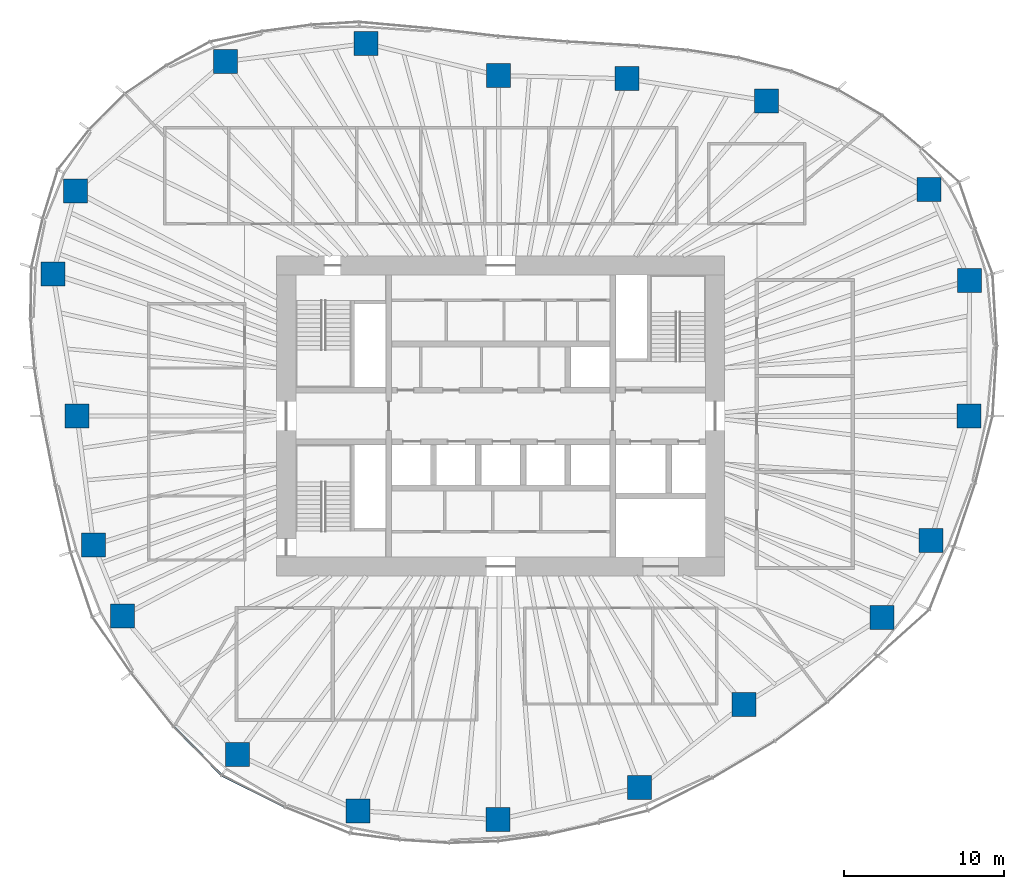
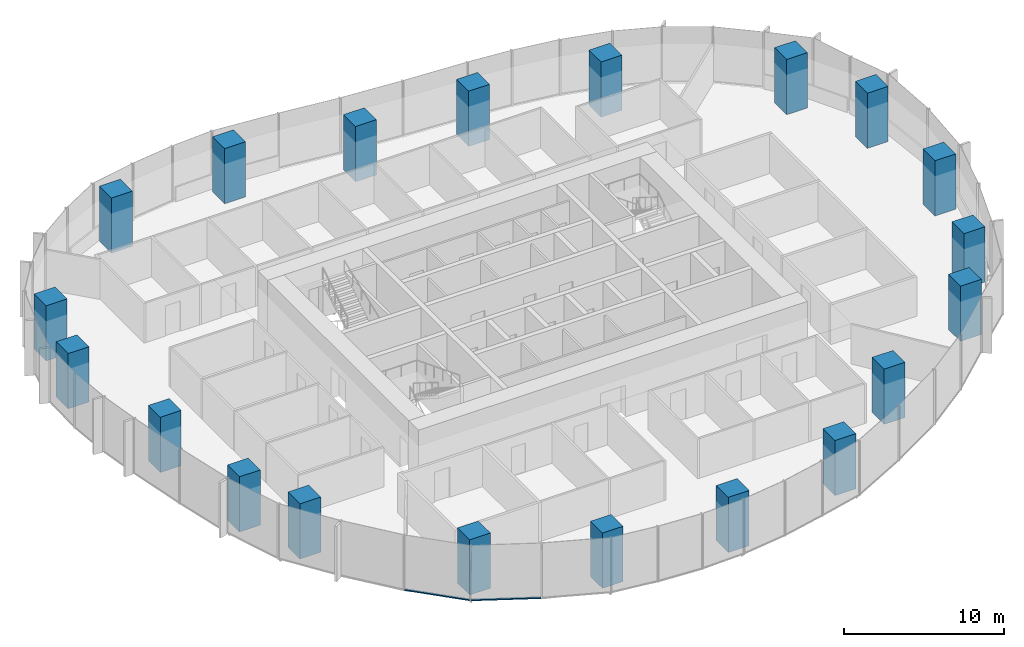
# One storey, part 1 of 18: 20 columns, 2 members, 2 elements without a shape of their own.
"""IFC4 building model written with IfcOpenShell, lengths in metres."""

from ifc_helpers import new_model, si_unit, direction, frame, origin, origin_2d, place, context, subcontext, project, spatial, rectangle, extrude, material, material_profile, profile_set, type_object, element, aggregate, save


model = new_model("IFC4")

# Units and contexts
model_context = context("Model", 3, precision=1e-05, world=origin(), true_north=direction((0.0, 1.0)))
body_context = subcontext(model_context, "Body", "Model", "MODEL_VIEW")
ifc_project = project(units=[si_unit("LENGTHUNIT", "METRE"), si_unit("AREAUNIT", "SQUARE_METRE"), si_unit("VOLUMEUNIT", "CUBIC_METRE"), si_unit("PLANEANGLEUNIT", "RADIAN"), si_unit("MASSUNIT", "GRAM", prefix="KILO")], contexts=[model_context])

# Site, building, storey
site_placement = place(None, origin())
site = spatial("IfcSite", under=ifc_project, at=site_placement, CompositionType="ELEMENT")
building_placement = place(site_placement, origin())
building = spatial("IfcBuilding", under=site, at=building_placement, Name="Ghaith Harvest Tower", CompositionType="ELEMENT")
storey_placement = place(building_placement, frame((0.0, 0.0, 113.39990234375)))
storey = spatial("IfcBuildingStorey", under=building, at=storey_placement, Name="L23", CompositionType="ELEMENT", Elevation=113.39990234375)

# Columns
ifc_material_1 = material(Name="Concrete C60/75", Category="concrete")
ifc_material_profile_1 = material_profile(ifc_material_1, rectangle(XDim=1.5, YDim=1.5, at=origin_2d()), Name="RC1500X1500")
ifc_profile_set_1 = profile_set([ifc_material_profile_1], Name="Concrete C60/75")
column_type = type_object("IfcColumnType", Name="TC3 RC1500X1500", PredefinedType="COLUMN", material=ifc_profile_set_1)
for number, where, z_axis, x_axis, name in (
    (1, (29.259033203125, 0.0, 0.0), (0.0, 0.0, 1.0), (1.0, 0.0, 0.0), "Perimeter column C01"),
    (2, (29.285888671875, 8.464111328125, 0.0), (0.0, 0.0, 1.0), (1.0, 0.0, 0.0), "Perimeter column C02"),
    (3, (26.763916015625, 14.14697265625, 0.0), (0.0, 0.0, 1.0), (1.0, 0.0, 0.0), "Perimeter column C03"),
    (4, (16.60791015625, 19.695068359375, 0.0), (0.0, 0.0, 1.0), (1.0, 0.0, 0.0), "Perimeter column C04"),
    (5, (7.8779296875, 21.072021484375, 0.0), (0.0, 0.0, 1.0), (1.0, 0.0, 0.0), "Perimeter column C05"),
    (6, (-0.14599609375, 21.27099609375, 0.0), (0.0, 0.0, 1.0), (1.0, 0.0, 0.0), "Perimeter column C06"),
    (7, (-8.406982421875, 23.27587890625, 0.0), (0.0, 0.0, 1.0), (1.0, 0.0, 0.0), "Perimeter column C07"),
    (8, (-17.201904296875, 22.14990234375, 0.0), (0.0, 0.0, 1.0), (1.0, 0.0, 0.0), "Perimeter column C08"),
    (9, (-26.572998046875, 14.0458984375, 0.0), (0.0, 0.0, 1.0), (1.0, 0.0, 0.0), "Perimeter column C09"),
    (10, (-27.98291015625, 8.867919921875, 0.0), (0.0, 0.0, 1.0), (1.0, 0.0, 0.0), "Perimeter column C10"),
    (11, (-26.47509765625, 0.0, 0.0), (0.0, 0.0, 1.0), (1.0, 0.0, 0.0), "Perimeter column C11"),
    (12, (-25.43603515625, -8.06103515625, 0.0), (0.0, 0.0, 1.0), (1.0, 0.0, 0.0), "Perimeter column C12"),
    (13, (-23.635009765625, -12.492919921875, 0.0), (0.0, 0.0, 1.0), (1.0, 0.0, 0.0), "Perimeter column C13"),
    (14, (-16.43701171875, -21.1640625, 0.0), (0.0, 0.0, 1.0), (1.0, 0.0, 0.0), "Perimeter column C14"),
    (15, (-8.908935546875, -24.66796875, 0.0), (0.0, 0.0, 1.0), (1.0, 0.0, 0.0), "Perimeter column C15"),
    (16, (-0.173095703125, -25.22412109375, 0.0), (0.0, 0.0, 1.0), (1.0, 0.0, 0.0), "Perimeter column C16"),
    (17, (8.674072265625, -23.202880859375, 0.0), (0.0, 0.0, 1.0), (1.0, 0.0, 0.0), "Perimeter column C17"),
    (18, (15.197998046875, -18.02294921875, 0.0), (0.0, 0.0, 1.0), (1.0, 0.0, 0.0), "Perimeter column C18"),
    (19, (23.825927734375, -12.593994140625, 0.0), (0.0, 0.0, 1.0), (1.0, 0.0, 0.0), "Perimeter column C19"),
    (20, (26.8779296875, -7.76806640625, 0.0), (0.0, 0.0, 1.0), (1.0, 0.0, 0.0), "Perimeter column C20"),
):
    element("IfcColumn", number, at=place(storey_placement, frame(where, z_axis=z_axis, x_axis=x_axis)), inside=storey, type_object=column_type, Name=name, PredefinedType="COLUMN", context=body_context, shape_type="SweptSolid", body=[
        extrude(rectangle(XDim=1.5, YDim=1.5, at=origin_2d()), origin(), (0.0, 0.0, 1.0), 4.2001953125),
    ])

# Curtain wall, member
ifc_material_2 = material(Name="Black anodised aluminium and fritted glass", Category="aluminium")
curtain_wall_type = type_object("IfcCurtainWallType", Name="CW-L CURTAIN WALL", PredefinedType="NOTDEFINED", material=ifc_material_2)
curtain_wall_1_placement = place(storey_placement, origin())
curtain_wall_1 = element("IfcCurtainWall", 21, at=curtain_wall_1_placement, inside=storey, type_object=curtain_wall_type, Name="Curtain wall CW-L bay 13 L23", PredefinedType="NOTDEFINED")
ifc_material_3 = material(Name="Aluminium, black anodised", Category="aluminium")
ifc_material_profile_2 = material_profile(ifc_material_3, rectangle(XDim=0.14990234375, YDim=0.080078125, at=origin_2d()), Name="CW-L TRANSOM 150x80")
ifc_profile_set_2 = profile_set([ifc_material_profile_2], Name="Aluminium, black anodised")
member_type = type_object("IfcMemberType", Name="CW-L TRANSOM 150x80", PredefinedType="USERDEFINED", material=ifc_profile_set_2)
member_1_placement = place(storey_placement, frame((-20.4130859375, -19.425048828125, 0.0400390625), z_axis=(0.702854410476, -0.711333731574, 0.0), x_axis=(0.711333731574, 0.702854410476, 0.0)))
member_1 = element("IfcMember", 22, at=member_1_placement, type_object=member_type, Name="CW-L transom 2 bay 13 L23", ObjectType="TRANSOM", PredefinedType="USERDEFINED", context=body_context, shape_type="SweptSolid", body=[
    extrude(rectangle(XDim=0.14990234375, YDim=0.080078125, at=origin_2d()), origin(), (0.0, 0.0, 1.0), 4.20361328125),
])
aggregate(curtain_wall_1, [member_1])

curtain_wall_2_placement = place(storey_placement, origin())
curtain_wall_2 = element("IfcCurtainWall", 23, at=curtain_wall_2_placement, inside=storey, type_object=curtain_wall_type, Name="Curtain wall CW-L bay 14 L23", PredefinedType="NOTDEFINED")
member_2_placement = place(storey_placement, frame((-17.394775390625, -22.461669921875, 0.0400390625), z_axis=(0.893057524502, -0.449942505138, 0.0), x_axis=(0.449942505138, 0.893057524502, 0.0)))
member_2 = element("IfcMember", 24, at=member_2_placement, type_object=member_type, Name="CW-L transom 1 bay 14 L23", ObjectType="TRANSOM", PredefinedType="USERDEFINED", context=body_context, shape_type="SweptSolid", body=[
    extrude(rectangle(XDim=0.14990234375, YDim=0.080078125, at=origin_2d()), origin(), (0.0, 0.0, 1.0), 4.362548828125),
])
aggregate(curtain_wall_2, [member_2])

save(model, "model.ifc")
